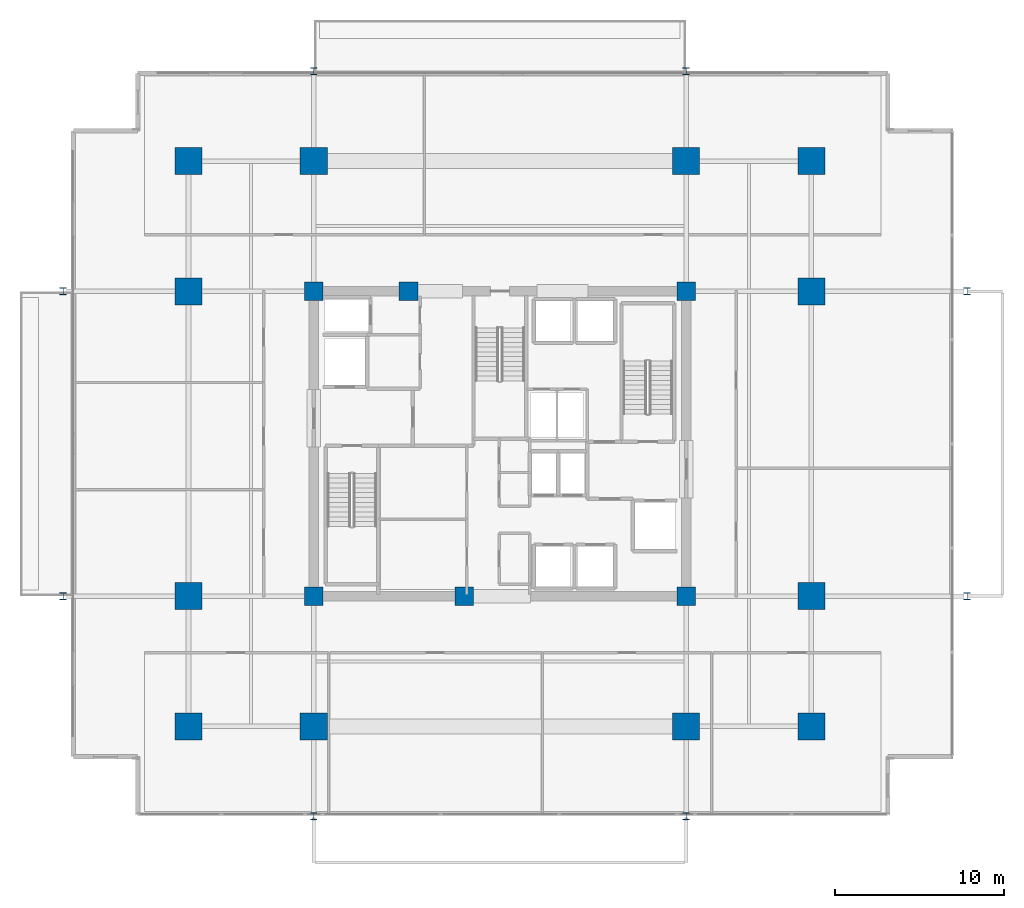
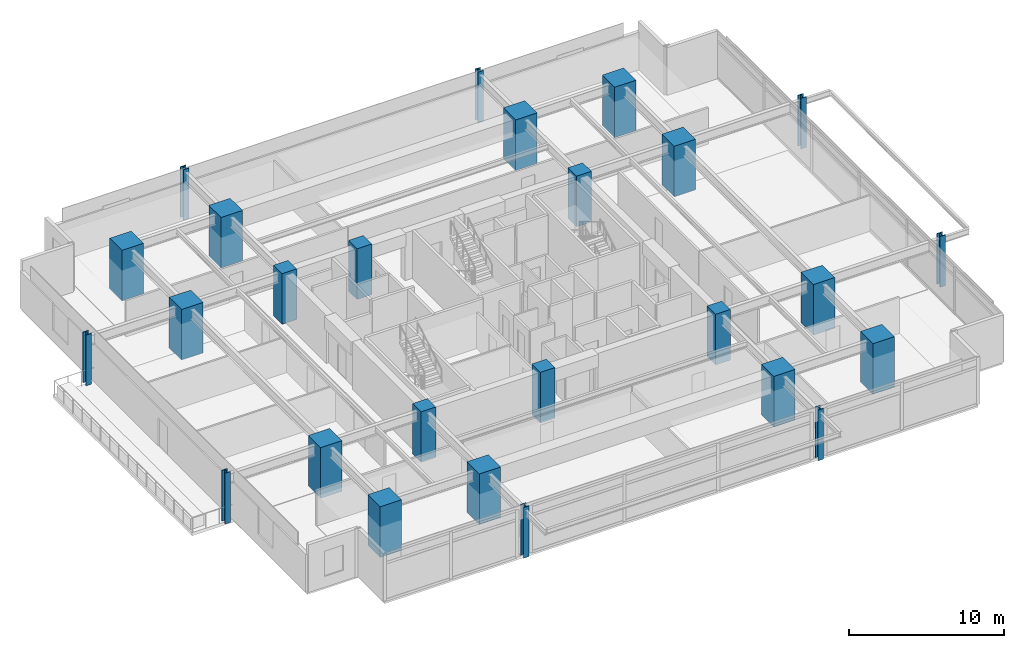
# One storey, part 1 of 23: 26 columns.
"""IFC4 building model written with IfcOpenShell, lengths in metres."""

from ifc_helpers import new_model, si_unit, direction, frame, origin, origin_2d, place, context, subcontext, project, spatial, rectangle, i_section, extrude, material, material_profile, profile_set, type_object, element, save


model = new_model("IFC4")

# Units and contexts
model_context = context("Model", 3, precision=1e-05, world=origin(), true_north=direction((0.0, 1.0)))
body_context = subcontext(model_context, "Body", "Model", "MODEL_VIEW")
ifc_project = project(units=[si_unit("LENGTHUNIT", "METRE"), si_unit("AREAUNIT", "SQUARE_METRE"), si_unit("VOLUMEUNIT", "CUBIC_METRE"), si_unit("PLANEANGLEUNIT", "RADIAN"), si_unit("MASSUNIT", "GRAM", prefix="KILO")], contexts=[model_context])

# Site, building, storey
site_placement = place(None, origin())
site = spatial("IfcSite", under=ifc_project, at=site_placement, CompositionType="ELEMENT")
building_placement = place(site_placement, origin())
building = spatial("IfcBuilding", under=site, at=building_placement, Name="Kovane Verandah Tower", CompositionType="ELEMENT")
storey_placement = place(building_placement, frame((0.0, 0.0, 168.39990234375)))
storey = spatial("IfcBuildingStorey", under=building, at=storey_placement, Name="L39", CompositionType="ELEMENT", Elevation=168.39990234375)

# Columns
ifc_material_1 = material(Name="Concrete C80/95", Category="concrete")
ifc_material_profile_1 = material_profile(ifc_material_1, rectangle(XDim=1.60009765625, YDim=1.60009765625, at=origin_2d()), Name="RC1600x1600")
ifc_profile_set_1 = profile_set([ifc_material_profile_1], Name="Concrete C80/95")
column_type_1 = type_object("IfcColumnType", Name="COL-RC1600", PredefinedType="COLUMN", material=ifc_profile_set_1)
for number, where, z_axis, x_axis, name in (
    (1, (29.0, 10.800048828125, 0.0), (0.0, 0.0, 1.0), (1.0, 0.0, 0.0), "L39 Tower Mega-Column MC-S1"),
    (2, (51.0, 10.800048828125, 0.0), (0.0, 0.0, 1.0), (1.0, 0.0, 0.0), "L39 Tower Mega-Column MC-S2"),
    (3, (29.0, 44.199951171875, 0.0), (0.0, 0.0, 1.0), (1.0, 0.0, 0.0), "L39 Tower Mega-Column MC-N1"),
    (4, (51.0, 44.199951171875, 0.0), (0.0, 0.0, 1.0), (1.0, 0.0, 0.0), "L39 Tower Mega-Column MC-N2"),
    (5, (21.60009765625, 18.5, 0.0), (0.0, 0.0, 1.0), (1.0, 0.0, 0.0), "L39 Tower Mega-Column MC-W1"),
    (6, (21.60009765625, 36.5, 0.0), (0.0, 0.0, 1.0), (1.0, 0.0, 0.0), "L39 Tower Mega-Column MC-W2"),
    (7, (58.39990234375, 18.5, 0.0), (0.0, 0.0, 1.0), (1.0, 0.0, 0.0), "L39 Tower Mega-Column MC-E1"),
    (8, (58.39990234375, 36.5, 0.0), (0.0, 0.0, 1.0), (1.0, 0.0, 0.0), "L39 Tower Mega-Column MC-E2"),
    (9, (21.60009765625, 10.800048828125, 0.0), (0.0, 0.0, 1.0), (1.0, 0.0, 0.0), "L39 Tower Mega-Column MC-SW"),
    (10, (58.39990234375, 10.800048828125, 0.0), (0.0, 0.0, 1.0), (1.0, 0.0, 0.0), "L39 Tower Mega-Column MC-SE"),
    (11, (21.60009765625, 44.199951171875, 0.0), (0.0, 0.0, 1.0), (1.0, 0.0, 0.0), "L39 Tower Mega-Column MC-NW"),
    (12, (58.39990234375, 44.199951171875, 0.0), (0.0, 0.0, 1.0), (1.0, 0.0, 0.0), "L39 Tower Mega-Column MC-NE"),
):
    element("IfcColumn", number, at=place(storey_placement, frame(where, z_axis=z_axis, x_axis=x_axis)), inside=storey, type_object=column_type_1, Name=name, PredefinedType="COLUMN", context=body_context, shape_type="SweptSolid", body=[
        extrude(rectangle(XDim=1.60009765625, YDim=1.60009765625, at=origin_2d()), origin(), (0.0, 0.0, 1.0), 4.0),
    ])
ifc_material_2 = material(Name="Steel S460", Category="steel")
ifc_material_profile_2 = material_profile(ifc_material_2, i_section(OverallWidth=0.412109375, OverallDepth=0.4365234375, WebThickness=0.035888671875, FlangeThickness=0.05810546875, FilletRadius=0.01513671875, at=origin_2d()), Name="UC356x406x467")
ifc_profile_set_2 = profile_set([ifc_material_profile_2], Name="Steel S460")
column_type_2 = type_object("IfcColumnType", Name="COL-UC467", PredefinedType="COLUMN", material=ifc_profile_set_2)
for number, where, z_axis, x_axis, name in (
    (13, (14.199951171875, 18.5, 0.0), (0.0, 0.0, 1.0), (1.0, 0.0, 0.0), "L39 Verandah Perimeter Column VC-W1"),
    (14, (14.199951171875, 36.5, 0.0), (0.0, 0.0, 1.0), (1.0, 0.0, 0.0), "L39 Verandah Perimeter Column VC-W2"),
    (15, (67.60009765625, 18.5, 0.0), (0.0, 0.0, 1.0), (1.0, 0.0, 0.0), "L39 Verandah Perimeter Column VC-E1"),
    (16, (67.60009765625, 36.5, 0.0), (0.0, 0.0, 1.0), (1.0, 0.0, 0.0), "L39 Verandah Perimeter Column VC-E2"),
    (17, (29.0, 5.5, 0.0), (0.0, 0.0, 1.0), (1.0, 0.0, 0.0), "L39 Verandah Perimeter Column VC-S1"),
    (18, (51.0, 5.5, 0.0), (0.0, 0.0, 1.0), (1.0, 0.0, 0.0), "L39 Verandah Perimeter Column VC-S2"),
    (19, (29.0, 49.5, 0.0), (0.0, 0.0, 1.0), (1.0, 0.0, 0.0), "L39 Verandah Perimeter Column VC-N1"),
    (20, (51.0, 49.5, 0.0), (0.0, 0.0, 1.0), (1.0, 0.0, 0.0), "L39 Verandah Perimeter Column VC-N2"),
):
    element("IfcColumn", number, at=place(storey_placement, frame(where, z_axis=z_axis, x_axis=x_axis)), inside=storey, type_object=column_type_2, Name=name, PredefinedType="COLUMN", context=body_context, shape_type="SweptSolid", body=[
        extrude(i_section(OverallWidth=0.412109375, OverallDepth=0.4365234375, WebThickness=0.035888671875, FlangeThickness=0.05810546875, FilletRadius=0.01513671875, at=origin_2d()), origin(), (0.0, 0.0, 1.0), 4.0),
    ])
ifc_material_profile_3 = material_profile(ifc_material_1, rectangle(XDim=1.10009765625, YDim=1.10009765625, at=origin_2d()), Name="RC1100x1100")
ifc_profile_set_3 = profile_set([ifc_material_profile_3], Name="Concrete C80/95")
column_type_3 = type_object("IfcColumnType", Name="PIL-RC1100", PredefinedType="PILASTER", material=ifc_profile_set_3)
for number, where, z_axis, x_axis, name in (
    (21, (29.0, 18.5, 0.0), (0.0, 0.0, 1.0), (1.0, 0.0, 0.0), "L39 Core Pilaster CP-SW"),
    (22, (51.0, 18.5, 0.0), (0.0, 0.0, 1.0), (1.0, 0.0, 0.0), "L39 Core Pilaster CP-SE"),
    (23, (29.0, 36.5, 0.0), (0.0, 0.0, 1.0), (1.0, 0.0, 0.0), "L39 Core Pilaster CP-NW"),
    (24, (51.0, 36.5, 0.0), (0.0, 0.0, 1.0), (1.0, 0.0, 0.0), "L39 Core Pilaster CP-NE"),
    (25, (37.89990234375, 18.5, 0.0), (0.0, 0.0, 1.0), (1.0, 0.0, 0.0), "L39 Core Pilaster CP-S"),
    (26, (34.60009765625, 36.5, 0.0), (0.0, 0.0, 1.0), (1.0, 0.0, 0.0), "L39 Core Pilaster CP-N"),
):
    element("IfcColumn", number, at=place(storey_placement, frame(where, z_axis=z_axis, x_axis=x_axis)), inside=storey, type_object=column_type_3, Name=name, PredefinedType="PILASTER", context=body_context, shape_type="SweptSolid", body=[
        extrude(rectangle(XDim=1.10009765625, YDim=1.10009765625, at=origin_2d()), origin(), (0.0, 0.0, 1.0), 4.0),
    ])

save(model, "model.ifc")
